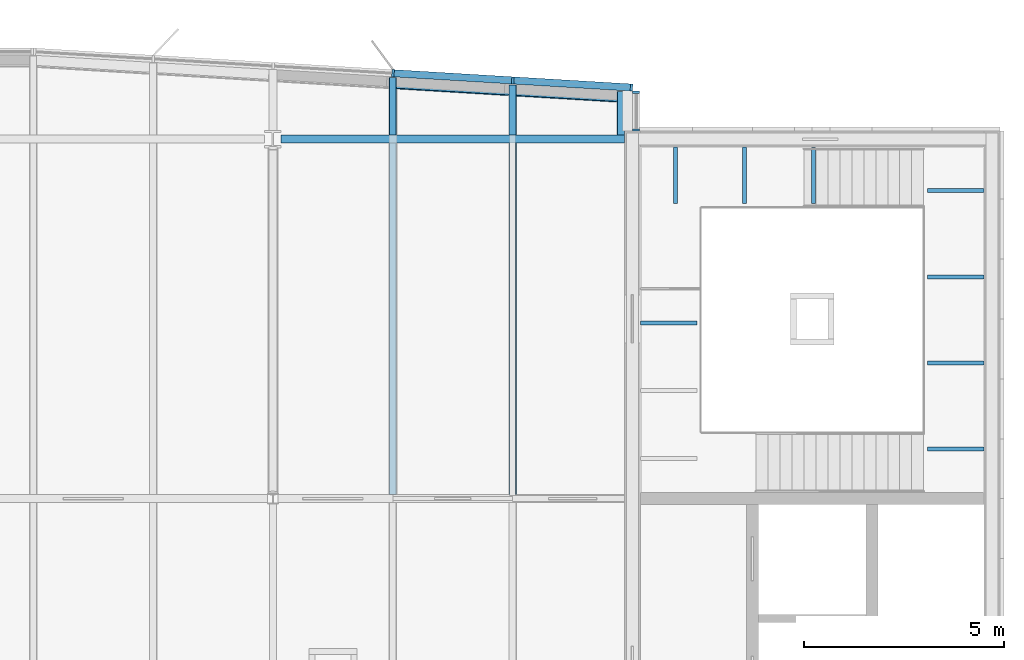
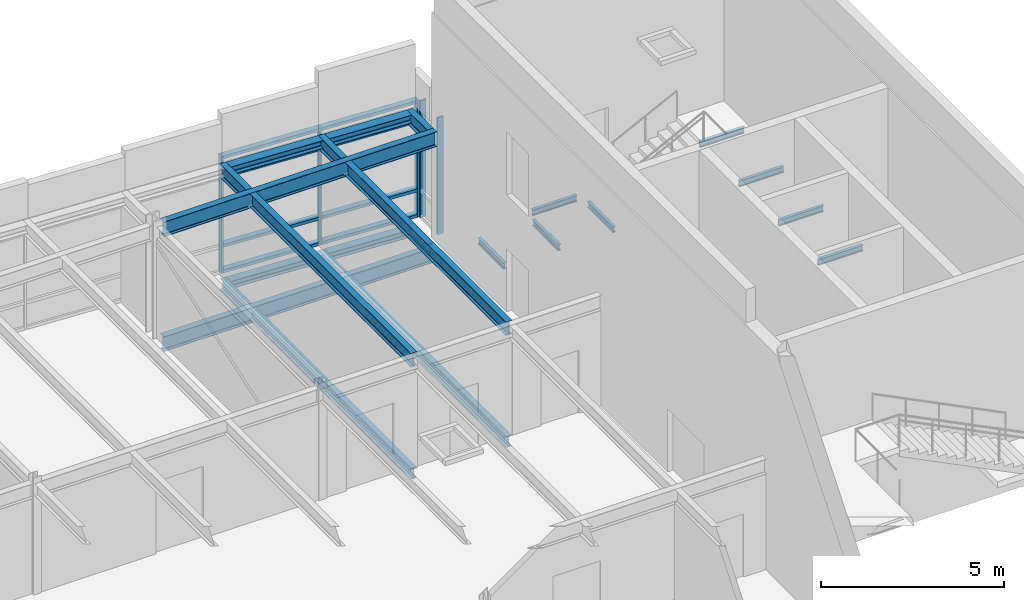
# One storey, part 9 of 23: 24 beams, 13 members, 2 elements without a shape of their own.
"""IFC4 building model written with IfcOpenShell, lengths in metres."""

from ifc_helpers import new_model, si_unit, direction, frame, origin, origin_2d, place, context, subcontext, project, spatial, rectangle, i_section, extrude, material, material_profile, profile_set, type_object, element, aggregate, save


model = new_model("IFC4")

# Units and contexts
model_context = context("Model", 3, precision=1e-05, world=origin(), true_north=direction((0.0, 1.0)))
body_context = subcontext(model_context, "Body", "Model", "MODEL_VIEW")
ifc_project = project(units=[si_unit("LENGTHUNIT", "METRE"), si_unit("AREAUNIT", "SQUARE_METRE"), si_unit("VOLUMEUNIT", "CUBIC_METRE"), si_unit("PLANEANGLEUNIT", "RADIAN"), si_unit("MASSUNIT", "GRAM", prefix="KILO")], contexts=[model_context])

# Site, building, storey
site_placement = place(None, origin())
site = spatial("IfcSite", under=ifc_project, at=site_placement, CompositionType="ELEMENT")
building_placement = place(site_placement, origin())
building = spatial("IfcBuilding", under=site, at=building_placement, Name="Azimuth Sports and Learning Centre", CompositionType="ELEMENT")
storey_placement = place(building_placement, frame((0.0, 0.0, 75.300048828125)))
storey = spatial("IfcBuildingStorey", under=building, at=storey_placement, Name="L17", CompositionType="ELEMENT", Elevation=75.300048828125)

# Beams
ifc_material_1 = material(Name="Steel S355", Category="steel")
ifc_material_profile_1 = material_profile(ifc_material_1, i_section(OverallWidth=0.10009765625, OverallDepth=0.199951171875, WebThickness=0.005615234375, FlangeThickness=0.008544921875, FilletRadius=0.011962890625, at=origin_2d()), Name="IPE 200")
ifc_profile_set_1 = profile_set([ifc_material_profile_1], Name="Steel S355")
beam_type_1 = type_object("IfcBeamType", Name="Beam IPE 200", PredefinedType="BEAM", material=ifc_profile_set_1)
for number, where, z_axis, x_axis, name in (
    (1, (109.0732421875, 116.800048828125, -0.300048828125), (0.0, -1.0, 0.0), (1.0, 0.0, 0.0), "Landing bracket E2 L17 703"),
    (2, (110.800048828125, 116.800048828125, -0.300048828125), (0.0, -1.0, 0.0), (1.0, 0.0, 0.0), "Landing bracket E2 L17 704"),
    (3, (112.526611328125, 116.800048828125, -0.300048828125), (0.0, -1.0, 0.0), (1.0, 0.0, 0.0), "Landing bracket E2 L17 705"),
    (4, (116.800048828125, 109.23876953125, 1.349853515625), (-1.0, 0.0, 0.0), (0.0, -1.0, 0.0), "Landing bracket E2 L17 706"),
    (5, (116.800048828125, 111.396240234375, 1.349853515625), (-1.0, 0.0, 0.0), (0.0, -1.0, 0.0), "Landing bracket E2 L17 707"),
    (6, (116.800048828125, 113.5537109375, 1.349853515625), (-1.0, 0.0, 0.0), (0.0, -1.0, 0.0), "Landing bracket E2 L17 708"),
    (7, (116.800048828125, 115.711181640625, 1.349853515625), (-1.0, 0.0, 0.0), (0.0, -1.0, 0.0), "Landing bracket E2 L17 709"),
    (8, (108.199951171875, 112.401611328125, 3.599853515625), (1.0, 0.0, 0.0), (0.0, 1.0, 0.0), "Landing bracket E2 L17 712"),
):
    element("IfcBeam", number, at=place(storey_placement, frame(where, z_axis=z_axis, x_axis=x_axis)), inside=storey, type_object=beam_type_1, Name=name, PredefinedType="BEAM", context=body_context, shape_type="SweptSolid", body=[
        extrude(i_section(OverallWidth=0.10009765625, OverallDepth=0.199951171875, WebThickness=0.005615234375, FlangeThickness=0.008544921875, FilletRadius=0.011962890625, at=origin_2d()), origin(), (0.0, 0.0, 1.0), 1.41015625),
    ])
ifc_material_2 = material(Name="Steel S355", Category="steel")
ifc_material_profile_2 = material_profile(ifc_material_2, i_section(OverallWidth=0.199951171875, OverallDepth=0.5, WebThickness=0.01025390625, FlangeThickness=0.01611328125, FilletRadius=0.02099609375, at=origin_2d()), Name="IPE 500")
ifc_profile_set_2 = profile_set([ifc_material_profile_2], Name="Steel S355")
beam_type_2 = type_object("IfcBeamType", Name="Beam IPE 500", PredefinedType="BEAM", material=ifc_profile_set_2)
for number, where, z_axis, x_axis, name in (
    (9, (99.2060546875, 117.0, -0.380126953125), (1.0, 0.0, 0.0), (0.0, 1.0, 0.0), "Tower girder L17"),
    (10, (99.2060546875, 117.0, 3.449951171875), (1.0, 0.0, 0.0), (0.0, 1.0, 0.0), "Roof girder"),
):
    element("IfcBeam", number, at=place(storey_placement, frame(where, z_axis=z_axis, x_axis=x_axis)), inside=storey, type_object=beam_type_2, Name=name, PredefinedType="BEAM", context=body_context, shape_type="SweptSolid", body=[
        extrude(i_section(OverallWidth=0.199951171875, OverallDepth=0.5, WebThickness=0.01025390625, FlangeThickness=0.01611328125, FilletRadius=0.02099609375, at=origin_2d()), origin(), (0.0, 0.0, 1.0), 8.593994140625),
    ])
ifc_material_3 = material(Name="Steel S355", Category="steel")
ifc_material_profile_3 = material_profile(ifc_material_3, i_section(OverallWidth=0.169921875, OverallDepth=0.360107421875, WebThickness=0.008056640625, FlangeThickness=0.0126953125, FilletRadius=0.01806640625, at=origin_2d()), Name="IPE 360")
ifc_profile_set_3 = profile_set([ifc_material_profile_3], Name="Steel S355")
beam_type_3 = type_object("IfcBeamType", Name="Cantilever stub IPE 360", PredefinedType="JOIST", material=ifc_profile_set_3)
beam_1_placement = place(storey_placement, frame((102.0, 117.10009765625, -0.31005859375), z_axis=(0.0, 1.0, 0.0), x_axis=(-1.0, 0.0, 0.0)))
element("IfcBeam", 11, at=beam_1_placement, inside=storey, type_object=beam_type_3, Name="Tower cantilever stub", PredefinedType="JOIST", context=body_context, shape_type="SweptSolid", body=[
    extrude(i_section(OverallWidth=0.169921875, OverallDepth=0.360107421875, WebThickness=0.008056640625, FlangeThickness=0.0126953125, FilletRadius=0.01806640625, at=origin_2d()), origin(), (0.0, 0.0, 1.0), 1.43994140625),
])
beam_2_placement = place(storey_placement, frame((105.0, 117.10009765625, -0.31005859375), z_axis=(0.0, 1.0, 0.0), x_axis=(-1.0, 0.0, 0.0)))
element("IfcBeam", 12, at=beam_2_placement, inside=storey, type_object=beam_type_3, Name="Tower cantilever stub", PredefinedType="JOIST", context=body_context, shape_type="SweptSolid", body=[
    extrude(i_section(OverallWidth=0.169921875, OverallDepth=0.360107421875, WebThickness=0.008056640625, FlangeThickness=0.0126953125, FilletRadius=0.01806640625, at=origin_2d()), origin(), (0.0, 0.0, 1.0), 1.260009765625),
])
beam_3_placement = place(storey_placement, frame((107.715087890625, 117.10009765625, -0.31005859375), z_axis=(0.0, 1.0, 0.0), x_axis=(-1.0, 0.0, 0.0)))
element("IfcBeam", 13, at=beam_3_placement, inside=storey, type_object=beam_type_3, Name="Tower cantilever stub", PredefinedType="JOIST", context=body_context, shape_type="SweptSolid", body=[
    extrude(i_section(OverallWidth=0.169921875, OverallDepth=0.360107421875, WebThickness=0.008056640625, FlangeThickness=0.0126953125, FilletRadius=0.01806640625, at=origin_2d()), origin(), (0.0, 0.0, 1.0), 1.096923828125),
])
ifc_material_4 = material(Name="Steel S355", Category="steel")
ifc_material_profile_4 = material_profile(ifc_material_4, i_section(OverallWidth=0.18994140625, OverallDepth=0.449951171875, WebThickness=0.009521484375, FlangeThickness=0.0146484375, FilletRadius=0.02099609375, at=origin_2d()), Name="IPE 450")
ifc_profile_set_4 = profile_set([ifc_material_profile_4], Name="Steel S355")
beam_type_4 = type_object("IfcBeamType", Name="Cantilever stub IPE 450", PredefinedType="JOIST", material=ifc_profile_set_4)
beam_4_placement = place(storey_placement, frame((102.0, 117.10009765625, 3.474853515625), z_axis=(0.0, 1.0, 0.0), x_axis=(-1.0, 0.0, 0.0)))
element("IfcBeam", 14, at=beam_4_placement, inside=storey, type_object=beam_type_4, Name="Roof cantilever stub", PredefinedType="JOIST", context=body_context, shape_type="SweptSolid", body=[
    extrude(i_section(OverallWidth=0.18994140625, OverallDepth=0.449951171875, WebThickness=0.009521484375, FlangeThickness=0.0146484375, FilletRadius=0.02099609375, at=origin_2d()), origin(), (0.0, 0.0, 1.0), 1.43994140625),
])
beam_5_placement = place(storey_placement, frame((105.0, 117.10009765625, 3.474853515625), z_axis=(0.0, 1.0, 0.0), x_axis=(-1.0, 0.0, 0.0)))
element("IfcBeam", 15, at=beam_5_placement, inside=storey, type_object=beam_type_4, Name="Roof cantilever stub", PredefinedType="JOIST", context=body_context, shape_type="SweptSolid", body=[
    extrude(i_section(OverallWidth=0.18994140625, OverallDepth=0.449951171875, WebThickness=0.009521484375, FlangeThickness=0.0146484375, FilletRadius=0.02099609375, at=origin_2d()), origin(), (0.0, 0.0, 1.0), 1.260009765625),
])
beam_6_placement = place(storey_placement, frame((107.705078125, 117.10009765625, 3.474853515625), z_axis=(0.0, 1.0, 0.0), x_axis=(-1.0, 0.0, 0.0)))
element("IfcBeam", 16, at=beam_6_placement, inside=storey, type_object=beam_type_4, Name="Roof cantilever stub", PredefinedType="JOIST", context=body_context, shape_type="SweptSolid", body=[
    extrude(i_section(OverallWidth=0.18994140625, OverallDepth=0.449951171875, WebThickness=0.009521484375, FlangeThickness=0.0146484375, FilletRadius=0.02099609375, at=origin_2d()), origin(), (0.0, 0.0, 1.0), 1.09765625),
])
ifc_material_5 = material(Name="Steel S355", Category="steel")
ifc_material_profile_5 = material_profile(ifc_material_5, i_section(OverallWidth=0.260009765625, OverallDepth=0.25, WebThickness=0.007568359375, FlangeThickness=0.012451171875, FilletRadius=0.02392578125, at=origin_2d()), Name="HEA 260")
ifc_profile_set_5 = profile_set([ifc_material_profile_5], Name="Steel S355")
beam_type_5 = type_object("IfcBeamType", Name="Edge beam HEA 260", PredefinedType="SPANDREL", material=ifc_profile_set_5)
beam_7_placement = place(storey_placement, frame((102.0849609375, 118.40478515625, -0.255126953125), z_axis=(0.998207521518, -0.059847673176, 0.0), x_axis=(0.059847673176, 0.998207521518, 0.0)))
element("IfcBeam", 17, at=beam_7_placement, inside=storey, type_object=beam_type_5, Name="Tower edge beam", PredefinedType="SPANDREL", context=body_context, shape_type="SweptSolid", body=[
    extrude(i_section(OverallWidth=0.260009765625, OverallDepth=0.25, WebThickness=0.007568359375, FlangeThickness=0.012451171875, FilletRadius=0.02392578125, at=origin_2d()), origin(), (0.0, 0.0, 1.0), 2.835205078125),
])
beam_8_placement = place(storey_placement, frame((105.0849609375, 118.224853515625, -0.255126953125), z_axis=(0.998207363591, -0.059850307199, 0.0), x_axis=(0.059850307199, 0.998207363591, 0.0)))
element("IfcBeam", 18, at=beam_8_placement, inside=storey, type_object=beam_type_5, Name="Tower edge beam", PredefinedType="SPANDREL", context=body_context, shape_type="SweptSolid", body=[
    extrude(i_section(OverallWidth=0.260009765625, OverallDepth=0.25, WebThickness=0.007568359375, FlangeThickness=0.012451171875, FilletRadius=0.02392578125, at=origin_2d()), origin(), (0.0, 0.0, 1.0), 2.549560546875),
])
ifc_material_6 = material(Name="Steel S355", Category="steel")
ifc_material_profile_6 = material_profile(ifc_material_6, i_section(OverallWidth=0.280029296875, OverallDepth=0.27001953125, WebThickness=0.008056640625, FlangeThickness=0.012939453125, FilletRadius=0.02392578125, at=origin_2d()), Name="HEA 280")
ifc_profile_set_6 = profile_set([ifc_material_profile_6], Name="Steel S355")
beam_type_6 = type_object("IfcBeamType", Name="Edge beam HEA 280", PredefinedType="SPANDREL", material=ifc_profile_set_6)
beam_9_placement = place(storey_placement, frame((102.094970703125, 118.394287109375, 3.56494140625), z_axis=(0.998202770938, -0.059926856187, 0.0), x_axis=(0.059926856187, 0.998202770938, 0.0)))
element("IfcBeam", 19, at=beam_9_placement, inside=storey, type_object=beam_type_6, Name="Roof edge beam", PredefinedType="SPANDREL", context=body_context, shape_type="SweptSolid", body=[
    extrude(i_section(OverallWidth=0.280029296875, OverallDepth=0.27001953125, WebThickness=0.008056640625, FlangeThickness=0.012939453125, FilletRadius=0.02392578125, at=origin_2d()), origin(), (0.0, 0.0, 1.0), 2.815185546875),
])
beam_10_placement = place(storey_placement, frame((105.094970703125, 118.21435546875, 3.56494140625), z_axis=(0.998205540535, -0.059880705111, 0.0), x_axis=(0.059880705111, 0.998205540535, 0.0)))
element("IfcBeam", 20, at=beam_10_placement, inside=storey, type_object=beam_type_6, Name="Roof edge beam", PredefinedType="SPANDREL", context=body_context, shape_type="SweptSolid", body=[
    extrude(i_section(OverallWidth=0.280029296875, OverallDepth=0.27001953125, WebThickness=0.008056640625, FlangeThickness=0.012939453125, FilletRadius=0.02392578125, at=origin_2d()), origin(), (0.0, 0.0, 1.0), 2.519775390625),
])
ifc_material_7 = material(Name="Steel S355", Category="steel")
ifc_material_profile_7 = material_profile(ifc_material_7, i_section(OverallWidth=0.169921875, OverallDepth=0.360107421875, WebThickness=0.008056640625, FlangeThickness=0.0126953125, FilletRadius=0.01806640625, at=origin_2d()), Name="IPE 360")
ifc_profile_set_7 = profile_set([ifc_material_profile_7], Name="Steel S355")
beam_type_7 = type_object("IfcBeamType", Name="Joist IPE 360", PredefinedType="JOIST", material=ifc_profile_set_7)
for number, where, z_axis, x_axis, name in (
    (21, (102.0, 108.10009765625, -0.31005859375), (0.0, 1.0, 0.0), (-1.0, 0.0, 0.0), "Tower joist"),
    (22, (105.0, 108.10009765625, -0.31005859375), (0.0, 1.0, 0.0), (-1.0, 0.0, 0.0), "Tower joist"),
):
    element("IfcBeam", number, at=place(storey_placement, frame(where, z_axis=z_axis, x_axis=x_axis)), inside=storey, type_object=beam_type_7, Name=name, PredefinedType="JOIST", context=body_context, shape_type="SweptSolid", body=[
        extrude(i_section(OverallWidth=0.169921875, OverallDepth=0.360107421875, WebThickness=0.008056640625, FlangeThickness=0.0126953125, FilletRadius=0.01806640625, at=origin_2d()), origin(), (0.0, 0.0, 1.0), 8.7998046875),
    ])
ifc_material_8 = material(Name="Steel S355", Category="steel")
ifc_material_profile_8 = material_profile(ifc_material_8, i_section(OverallWidth=0.18994140625, OverallDepth=0.449951171875, WebThickness=0.009521484375, FlangeThickness=0.0146484375, FilletRadius=0.02099609375, at=origin_2d()), Name="IPE 450")
ifc_profile_set_8 = profile_set([ifc_material_profile_8], Name="Steel S355")
beam_type_8 = type_object("IfcBeamType", Name="Joist IPE 450", PredefinedType="JOIST", material=ifc_profile_set_8)
for number, where, z_axis, x_axis, name in (
    (23, (102.0, 108.10009765625, 3.474853515625), (0.0, 1.0, 0.0), (-1.0, 0.0, 0.0), "Roof joist"),
    (24, (105.0, 108.10009765625, 3.474853515625), (0.0, 1.0, 0.0), (-1.0, 0.0, 0.0), "Roof joist"),
):
    element("IfcBeam", number, at=place(storey_placement, frame(where, z_axis=z_axis, x_axis=x_axis)), inside=storey, type_object=beam_type_8, Name=name, PredefinedType="JOIST", context=body_context, shape_type="SweptSolid", body=[
        extrude(i_section(OverallWidth=0.18994140625, OverallDepth=0.449951171875, WebThickness=0.009521484375, FlangeThickness=0.0146484375, FilletRadius=0.02099609375, at=origin_2d()), origin(), (0.0, 0.0, 1.0), 8.7998046875),
    ])

# Curtain wall, members
ifc_material_9 = material(Name="Aluminium and glass", Category="aluminium")
curtain_wall_type_1 = type_object("IfcCurtainWallType", Name="Curtain wall tower return 180", PredefinedType="NOTDEFINED", material=ifc_material_9)
curtain_wall_1_placement = place(storey_placement, origin())
curtain_wall_1 = element("IfcCurtainWall", 25, at=curtain_wall_1_placement, inside=storey, type_object=curtain_wall_type_1, Name="Curtain wall CW17-008", PredefinedType="NOTDEFINED")
ifc_material_10 = material(Name="Aluminium", Category="aluminium")
ifc_material_profile_9 = material_profile(ifc_material_10, rectangle(XDim=0.179931640625, YDim=0.06005859375, at=origin_2d()), Name="Mullion 60x180")
ifc_profile_set_9 = profile_set([ifc_material_profile_9], Name="Aluminium")
member_type_1 = type_object("IfcMemberType", Name="Mullion 60x180", PredefinedType="MULLION", material=ifc_profile_set_9)
member_1_placement = place(storey_placement, frame((108.090087890625, 117.22998046875, 0.0), z_axis=(0.0, 0.0, 1.0), x_axis=(-1.0, 0.0, 0.0)))
member_1 = element("IfcMember", 26, at=member_1_placement, type_object=member_type_1, Name="CW17-008 mullion 1", PredefinedType="MULLION", context=body_context, shape_type="SweptSolid", body=[
    extrude(rectangle(XDim=0.179931640625, YDim=0.06005859375, at=origin_2d()), origin(), (0.0, 0.0, 1.0), 3.89990234375),
])
member_2_placement = place(storey_placement, frame((108.090087890625, 118.169921875, 0.0), z_axis=(0.0, 0.0, 1.0), x_axis=(-1.0, 0.0, 0.0)))
member_2 = element("IfcMember", 27, at=member_2_placement, type_object=member_type_1, Name="CW17-008 mullion 2", PredefinedType="MULLION", context=body_context, shape_type="SweptSolid", body=[
    extrude(rectangle(XDim=0.179931640625, YDim=0.06005859375, at=origin_2d()), origin(), (0.0, 0.0, 1.0), 3.89990234375),
])
aggregate(curtain_wall_1, [member_1, member_2])

ifc_material_11 = material(Name="Aluminium and glass", Category="aluminium")
curtain_wall_type_2 = type_object("IfcCurtainWallType", Name="Curtain wall tower north 180", PredefinedType="NOTDEFINED", material=ifc_material_11)
curtain_wall_2_placement = place(storey_placement, origin())
curtain_wall_2 = element("IfcCurtainWall", 28, at=curtain_wall_2_placement, inside=storey, type_object=curtain_wall_type_2, Name="Curtain wall CW17-009", PredefinedType="NOTDEFINED")
member_3_placement = place(storey_placement, frame((107.975341796875, 118.291748046875, 0.0), z_axis=(0.0, 0.0, 1.0), x_axis=(-0.059891991812, -0.998204863401, 0.0)))
member_3 = element("IfcMember", 29, at=member_3_placement, type_object=member_type_1, Name="CW17-009 mullion 1", PredefinedType="MULLION", context=body_context, shape_type="SweptSolid", body=[
    extrude(rectangle(XDim=0.179931640625, YDim=0.06005859375, at=origin_2d()), origin(), (0.0, 0.0, 1.0), 3.89990234375),
])
member_4_placement = place(storey_placement, frame((105.00537109375, 118.4697265625, 0.0), z_axis=(0.0, 0.0, 1.0), x_axis=(-0.059891991812, -0.998204863401, 0.0)))
member_4 = element("IfcMember", 30, at=member_4_placement, type_object=member_type_1, Name="CW17-009 mullion 2", PredefinedType="MULLION", context=body_context, shape_type="SweptSolid", body=[
    extrude(rectangle(XDim=0.179931640625, YDim=0.06005859375, at=origin_2d()), origin(), (0.0, 0.0, 1.0), 3.89990234375),
])
member_5_placement = place(storey_placement, frame((102.00537109375, 118.64990234375, 0.0), z_axis=(0.0, 0.0, 1.0), x_axis=(-0.059891991812, -0.998204863401, 0.0)))
member_5 = element("IfcMember", 31, at=member_5_placement, type_object=member_type_1, Name="CW17-009 mullion 3", PredefinedType="MULLION", context=body_context, shape_type="SweptSolid", body=[
    extrude(rectangle(XDim=0.179931640625, YDim=0.06005859375, at=origin_2d()), origin(), (0.0, 0.0, 1.0), 3.89990234375),
])
ifc_material_12 = material(Name="Aluminium", Category="aluminium")
ifc_material_profile_10 = material_profile(ifc_material_12, rectangle(XDim=0.179931640625, YDim=0.10009765625, at=origin_2d()), Name="Transom 100x180")
ifc_profile_set_10 = profile_set([ifc_material_profile_10], Name="Aluminium")
member_type_2 = type_object("IfcMemberType", Name="Transom 100x180", PredefinedType="USERDEFINED", material=ifc_profile_set_10)
member_6_placement = place(storey_placement, frame((107.945556640625, 118.29345703125, 0.050048828125), z_axis=(-0.998205846627, 0.059875602377, 0.0), x_axis=(-0.059875602377, -0.998205846627, 0.0)))
member_6 = element("IfcMember", 32, at=member_6_placement, type_object=member_type_2, Name="CW17-009 transom 1.1", ObjectType="TRANSOM", PredefinedType="USERDEFINED", context=body_context, shape_type="SweptSolid", body=[
    extrude(rectangle(XDim=0.179931640625, YDim=0.10009765625, at=origin_2d()), origin(), (0.0, 0.0, 1.0), 2.915283203125),
])
member_7_placement = place(storey_placement, frame((107.945556640625, 118.29345703125, 0.89990234375), z_axis=(-0.998205846627, 0.059875602377, 0.0), x_axis=(-0.059875602377, -0.998205846627, 0.0)))
member_7 = element("IfcMember", 33, at=member_7_placement, type_object=member_type_2, Name="CW17-009 transom 1.2", ObjectType="TRANSOM", PredefinedType="USERDEFINED", context=body_context, shape_type="SweptSolid", body=[
    extrude(rectangle(XDim=0.179931640625, YDim=0.10009765625, at=origin_2d()), origin(), (0.0, 0.0, 1.0), 2.915283203125),
])
member_8_placement = place(storey_placement, frame((107.945556640625, 118.29345703125, 3.199951171875), z_axis=(-0.998205846627, 0.059875602377, 0.0), x_axis=(-0.059875602377, -0.998205846627, 0.0)))
member_8 = element("IfcMember", 34, at=member_8_placement, type_object=member_type_2, Name="CW17-009 transom 1.3", ObjectType="TRANSOM", PredefinedType="USERDEFINED", context=body_context, shape_type="SweptSolid", body=[
    extrude(rectangle(XDim=0.179931640625, YDim=0.10009765625, at=origin_2d()), origin(), (0.0, 0.0, 1.0), 2.915283203125),
])
member_9_placement = place(storey_placement, frame((107.945556640625, 118.29345703125, 3.849853515625), z_axis=(-0.998205846627, 0.059875602377, 0.0), x_axis=(-0.059875602377, -0.998205846627, 0.0)))
member_9 = element("IfcMember", 35, at=member_9_placement, type_object=member_type_2, Name="CW17-009 transom 1.4", ObjectType="TRANSOM", PredefinedType="USERDEFINED", context=body_context, shape_type="SweptSolid", body=[
    extrude(rectangle(XDim=0.179931640625, YDim=0.10009765625, at=origin_2d()), origin(), (0.0, 0.0, 1.0), 2.915283203125),
])
member_10_placement = place(storey_placement, frame((104.975341796875, 118.4716796875, 0.050048828125), z_axis=(-0.998207421552, 0.059849340505, 0.0), x_axis=(-0.059849340505, -0.998207421552, 0.0)))
member_10 = element("IfcMember", 36, at=member_10_placement, type_object=member_type_2, Name="CW17-009 transom 2.1", ObjectType="TRANSOM", PredefinedType="USERDEFINED", context=body_context, shape_type="SweptSolid", body=[
    extrude(rectangle(XDim=0.179931640625, YDim=0.10009765625, at=origin_2d()), origin(), (0.0, 0.0, 1.0), 2.9453125),
])
member_11_placement = place(storey_placement, frame((104.975341796875, 118.4716796875, 0.89990234375), z_axis=(-0.998207421552, 0.059849340505, 0.0), x_axis=(-0.059849340505, -0.998207421552, 0.0)))
member_11 = element("IfcMember", 37, at=member_11_placement, type_object=member_type_2, Name="CW17-009 transom 2.2", ObjectType="TRANSOM", PredefinedType="USERDEFINED", context=body_context, shape_type="SweptSolid", body=[
    extrude(rectangle(XDim=0.179931640625, YDim=0.10009765625, at=origin_2d()), origin(), (0.0, 0.0, 1.0), 2.9453125),
])
member_12_placement = place(storey_placement, frame((104.975341796875, 118.4716796875, 3.199951171875), z_axis=(-0.998207421552, 0.059849340505, 0.0), x_axis=(-0.059849340505, -0.998207421552, 0.0)))
member_12 = element("IfcMember", 38, at=member_12_placement, type_object=member_type_2, Name="CW17-009 transom 2.3", ObjectType="TRANSOM", PredefinedType="USERDEFINED", context=body_context, shape_type="SweptSolid", body=[
    extrude(rectangle(XDim=0.179931640625, YDim=0.10009765625, at=origin_2d()), origin(), (0.0, 0.0, 1.0), 2.9453125),
])
member_13_placement = place(storey_placement, frame((104.975341796875, 118.4716796875, 3.849853515625), z_axis=(-0.998207421552, 0.059849340505, 0.0), x_axis=(-0.059849340505, -0.998207421552, 0.0)))
member_13 = element("IfcMember", 39, at=member_13_placement, type_object=member_type_2, Name="CW17-009 transom 2.4", ObjectType="TRANSOM", PredefinedType="USERDEFINED", context=body_context, shape_type="SweptSolid", body=[
    extrude(rectangle(XDim=0.179931640625, YDim=0.10009765625, at=origin_2d()), origin(), (0.0, 0.0, 1.0), 2.9453125),
])
aggregate(curtain_wall_2, [member_3, member_4, member_5, member_6, member_7, member_8, member_9, member_10, member_11, member_12, member_13])

save(model, "model.ifc")
